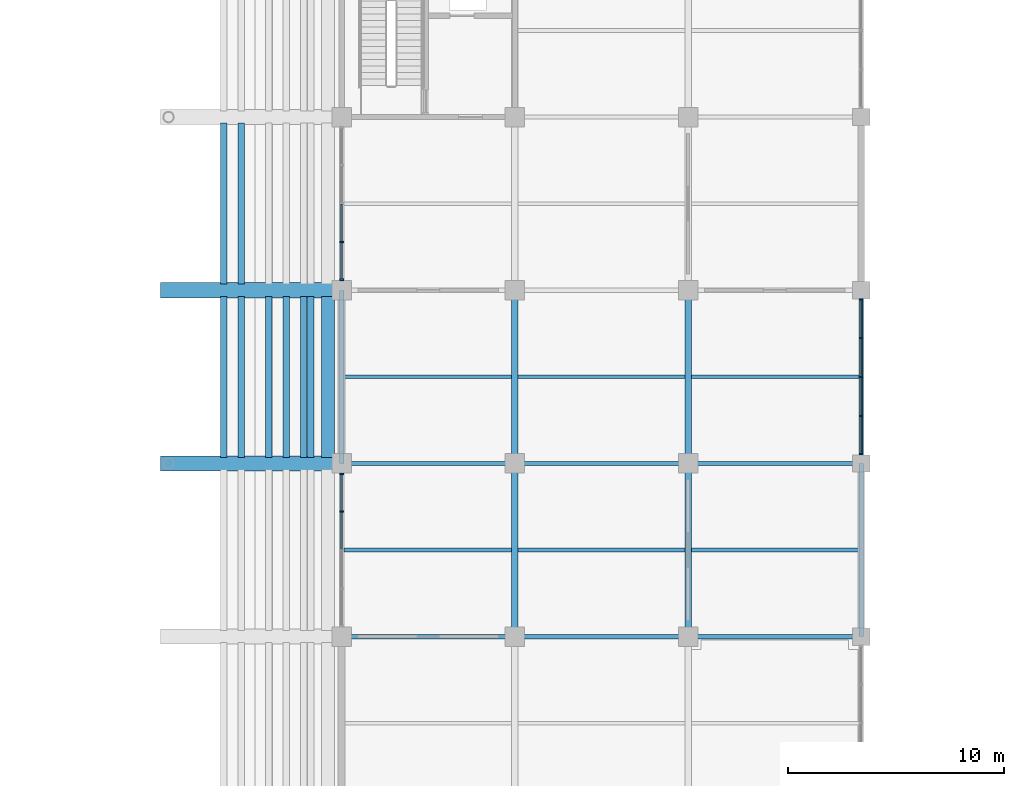
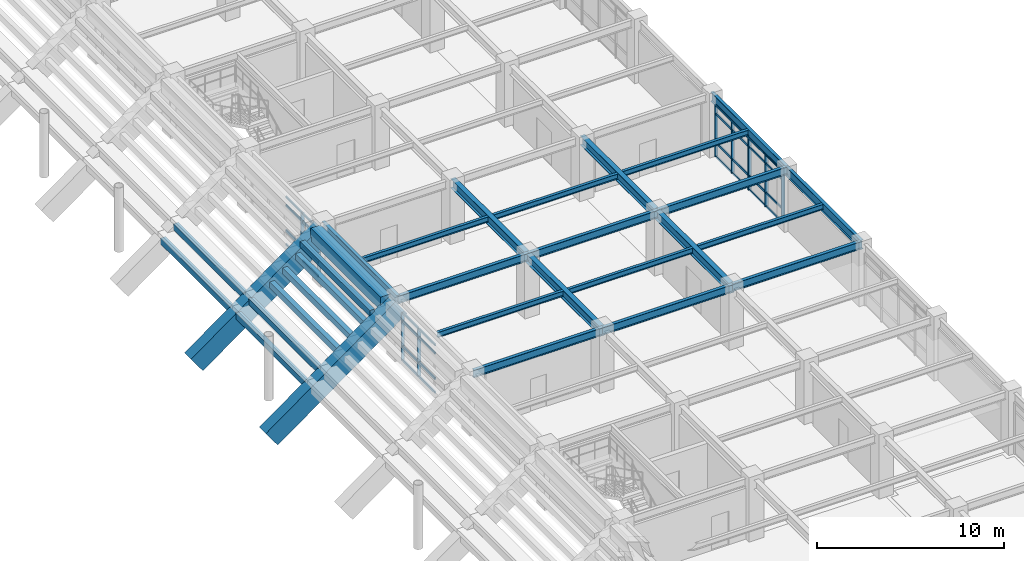
# One storey, part 42 of 118: 41 members, 30 beams, 3 elements without a shape of their own.
"""IFC4 building model written with IfcOpenShell, lengths in metres."""

from ifc_helpers import new_model, si_unit, direction, frame, origin, origin_2d, place, context, subcontext, project, spatial, rectangle, i_section, extrude, material, layer, layer_set, material_profile, profile_set, type_object, element, aggregate, save


model = new_model("IFC4")

# Units and contexts
model_context = context("Model", 3, precision=1e-05, world=origin(), true_north=direction((0.0, 1.0)))
body_context = subcontext(model_context, "Body", "Model", "MODEL_VIEW")
ifc_project = project(units=[si_unit("LENGTHUNIT", "METRE"), si_unit("AREAUNIT", "SQUARE_METRE"), si_unit("VOLUMEUNIT", "CUBIC_METRE"), si_unit("PLANEANGLEUNIT", "RADIAN"), si_unit("MASSUNIT", "GRAM", prefix="KILO")], contexts=[model_context])

# Site, building, storey
site_placement = place(None, origin())
site = spatial("IfcSite", under=ifc_project, at=site_placement, CompositionType="ELEMENT")
building_placement = place(site_placement, origin())
building = spatial("IfcBuilding", under=site, at=building_placement, Name="Haebicheon Civic Stadium", CompositionType="ELEMENT")
storey_placement = place(building_placement, frame((0.0, 0.0, 14.39990234375)))
storey = spatial("IfcBuildingStorey", under=building, at=storey_placement, Name="L04", CompositionType="ELEMENT", Elevation=14.39990234375)

# Beams
ifc_material_1 = material(Name="Precast concrete C40/50", Category="concrete")
ifc_material_profile_1 = material_profile(ifc_material_1, rectangle(XDim=0.300048828125, YDim=0.39990234375, at=origin_2d()), Name="PC-LN-300x400")
ifc_profile_set_1 = profile_set([ifc_material_profile_1], Name="Precast concrete C40/50")
beam_type_1 = type_object("IfcBeamType", Name="BM-LN-300x400", PredefinedType="LINTEL", material=ifc_profile_set_1)
for number, where, z_axis, x_axis, name in (
    (1, (138.56005859375, 88.280029296875, -0.10693359375), (0.0, 1.0, 0.0), (-1.0, 0.0, 0.0), "TIER-E-U precast step carrier beam 6.4"),
    (2, (139.360107421875, 88.280029296875, 0.5380859375), (0.0, 1.0, 0.0), (-1.0, 0.0, 0.0), "TIER-E-U precast step carrier beam 6.5"),
    (3, (140.639892578125, 88.280029296875, 1.18212890625), (0.0, 1.0, 0.0), (-1.0, 0.0, 0.0), "TIER-E-U precast step carrier beam 6.6"),
    (4, (141.43994140625, 88.280029296875, 1.8271484375), (0.0, 1.0, 0.0), (-1.0, 0.0, 0.0), "TIER-E-U precast step carrier beam 6.7"),
    (5, (142.239990234375, 88.280029296875, 2.47119140625), (0.0, 1.0, 0.0), (-1.0, 0.0, 0.0), "TIER-E-U precast step carrier beam 6.8"),
    (6, (142.56005859375, 88.280029296875, 3.1162109375), (0.0, 1.0, 0.0), (-1.0, 0.0, 0.0), "TIER-E-U precast step carrier beam 6.9"),
    (7, (138.56005859375, 96.280029296875, -0.10693359375), (0.0, 1.0, 0.0), (-1.0, 0.0, 0.0), "TIER-E-U precast step carrier beam 7.4"),
    (8, (139.360107421875, 96.280029296875, 0.5380859375), (0.0, 1.0, 0.0), (-1.0, 0.0, 0.0), "TIER-E-U precast step carrier beam 7.5"),
):
    element("IfcBeam", number, at=place(storey_placement, frame(where, z_axis=z_axis, x_axis=x_axis)), inside=storey, type_object=beam_type_1, material=ifc_profile_set_1, Name=name, PredefinedType="LINTEL", context=body_context, shape_type="SweptSolid", body=[
        extrude(rectangle(XDim=0.300048828125, YDim=0.39990234375, at=origin_2d()), origin(), (0.0, 0.0, 1.0), 7.43994140625),
    ])
ifc_material_2 = material(Name="Steel SM355 (S355)", Category="steel")
ifc_material_profile_2 = material_profile(ifc_material_2, i_section(OverallWidth=0.199951171875, OverallDepth=0.5, WebThickness=0.010009765625, FlangeThickness=0.01611328125, at=origin_2d()), Name="H-500x200x10x16")
ifc_profile_set_2 = profile_set([ifc_material_profile_2], Name="Steel SM355 (S355)")
beam_type_2 = type_object("IfcBeamType", Name="BM-ST-H500", PredefinedType="BEAM", material=ifc_profile_set_2)
for number, where, z_axis, x_axis, name in (
    (9, (144.0, 80.0, 3.690185546875), (1.0, 0.0, 0.0), (0.0, 1.0, 0.0), "L04 beam L/19-20"),
    (10, (144.0, 88.0, 3.690185546875), (1.0, 0.0, 0.0), (0.0, 1.0, 0.0), "L04 beam M/19-20"),
    (11, (152.0, 80.0, 3.690185546875), (1.0, 0.0, 0.0), (0.0, 1.0, 0.0), "L04 beam L/20-21"),
    (12, (152.0, 88.0, 3.690185546875), (1.0, 0.0, 0.0), (0.0, 1.0, 0.0), "L04 beam M/20-21"),
    (13, (160.0, 80.0, 3.72998046875), (1.0, 0.0, 0.0), (0.0, 1.0, 0.0), "L04 beam L/21-22"),
    (14, (160.0, 88.0, 3.72998046875), (1.0, 0.0, 0.0), (0.0, 1.0, 0.0), "L04 beam M/21-22"),
):
    element("IfcBeam", number, at=place(storey_placement, frame(where, z_axis=z_axis, x_axis=x_axis)), inside=storey, type_object=beam_type_2, material=ifc_profile_set_2, Name=name, PredefinedType="BEAM", context=body_context, shape_type="SweptSolid", body=[
        extrude(i_section(OverallWidth=0.199951171875, OverallDepth=0.5, WebThickness=0.010009765625, FlangeThickness=0.01611328125, at=origin_2d()), origin(), (0.0, 0.0, 1.0), 8.0),
    ])
ifc_material_3 = material(Name="Steel SM355 (S355)", Category="steel")
ifc_material_profile_3 = material_profile(ifc_material_3, i_section(OverallWidth=0.300048828125, OverallDepth=0.60009765625, WebThickness=0.011962890625, FlangeThickness=0.02001953125, at=origin_2d()), Name="H-600x300x12x20")
ifc_profile_set_3 = profile_set([ifc_material_profile_3], Name="Steel SM355 (S355)")
beam_type_3 = type_object("IfcBeamType", Name="BM-ST-H600A", PredefinedType="BEAM", material=ifc_profile_set_3)
for number, where, z_axis, x_axis, name in (
    (15, (152.0, 80.0, 3.64013671875), (0.0, 1.0, 0.0), (-1.0, 0.0, 0.0), "L04 girder 20/L-M"),
    (16, (152.0, 88.0, 3.64013671875), (0.0, 1.0, 0.0), (-1.0, 0.0, 0.0), "L04 girder 20/M-N"),
    (17, (160.0, 80.0, 3.64013671875), (0.0, 1.0, 0.0), (-1.0, 0.0, 0.0), "L04 girder 21/L-M"),
    (18, (160.0, 88.0, 3.64013671875), (0.0, 1.0, 0.0), (-1.0, 0.0, 0.0), "L04 girder 21/M-N"),
):
    element("IfcBeam", number, at=place(storey_placement, frame(where, z_axis=z_axis, x_axis=x_axis)), inside=storey, type_object=beam_type_3, material=ifc_profile_set_3, Name=name, PredefinedType="BEAM", context=body_context, shape_type="SweptSolid", body=[
        extrude(i_section(OverallWidth=0.300048828125, OverallDepth=0.60009765625, WebThickness=0.011962890625, FlangeThickness=0.02001953125, at=origin_2d()), origin(), (0.0, 0.0, 1.0), 8.0),
    ])
ifc_material_4 = material(Name="Precast concrete C40/50", Category="concrete")
ifc_material_profile_4 = material_profile(ifc_material_4, rectangle(XDim=0.60009765625, YDim=0.85009765625, at=origin_2d()), Name="PC-TB-600x850")
ifc_profile_set_4 = profile_set([ifc_material_profile_4], Name="Precast concrete C40/50")
beam_type_4 = type_object("IfcBeamType", Name="BM-TB-600x850", PredefinedType="T_BEAM", material=ifc_profile_set_4)
beam_placement = place(storey_placement, frame((143.360107421875, 88.280029296875, 3.53515625), z_axis=(0.0, 1.0, 0.0), x_axis=(-1.0, 0.0, 0.0)))
element("IfcBeam", 19, at=beam_placement, inside=storey, type_object=beam_type_4, material=ifc_profile_set_4, Name="TIER-E-U upper tier bench carrier beam 6", PredefinedType="T_BEAM", context=body_context, shape_type="SweptSolid", body=[
    extrude(rectangle(XDim=0.60009765625, YDim=0.85009765625, at=origin_2d()), origin(), (0.0, 0.0, 1.0), 7.43994140625),
])

# Curtain wall, members
ifc_material_5 = material(Name="Anodised aluminium and laminated glass", Category="aluminium")
ifc_layer_1 = layer(ifc_material_5, 0.179931640625, Name="Anodised aluminium and laminated glass")
ifc_layer_set_1 = layer_set([ifc_layer_1], Name="Anodised aluminium and laminated glass")
curtain_wall_type_1 = type_object("IfcCurtainWallType", Name="CW-7100x3100", PredefinedType="NOTDEFINED", material=ifc_layer_set_1)
curtain_wall_1_placement = place(storey_placement, origin())
curtain_wall_1 = element("IfcCurtainWall", 20, at=curtain_wall_1_placement, inside=storey, type_object=curtain_wall_type_1, material=ifc_layer_set_1, Name="L04 unitised curtain wall 144", PredefinedType="NOTDEFINED")
ifc_material_6 = material(Name="Anodised aluminium 6063-T6", Category="aluminium")
ifc_material_profile_5 = material_profile(ifc_material_6, rectangle(XDim=0.070068359375, YDim=0.199951171875, at=origin_2d()), Name="ALU-MULL-70x200")
ifc_profile_set_5 = profile_set([ifc_material_profile_5], Name="Anodised aluminium 6063-T6")
member_type_1 = type_object("IfcMemberType", Name="CWM-200x70", PredefinedType="MULLION", material=ifc_profile_set_5)
member_1_placement = place(storey_placement, frame((144.0, 85.77490234375, 0.0), z_axis=(0.0, 0.0, 1.0), x_axis=(0.0, 1.0, 0.0)))
member_1 = element("IfcMember", 21, at=member_1_placement, type_object=member_type_1, material=ifc_profile_set_5, Name="CW-L04-144 vertical mullion 4", PredefinedType="MULLION", context=body_context, shape_type="SweptSolid", body=[
    extrude(rectangle(XDim=0.070068359375, YDim=0.199951171875, at=origin_2d()), origin(), (0.0, 0.0, 1.0), 3.10009765625),
])
member_2_placement = place(storey_placement, frame((144.0, 87.514892578125, 0.0), z_axis=(0.0, 0.0, 1.0), x_axis=(0.0, 1.0, 0.0)))
member_2 = element("IfcMember", 22, at=member_2_placement, type_object=member_type_1, material=ifc_profile_set_5, Name="CW-L04-144 vertical mullion 5", PredefinedType="MULLION", context=body_context, shape_type="SweptSolid", body=[
    extrude(rectangle(XDim=0.070068359375, YDim=0.199951171875, at=origin_2d()), origin(), (0.0, 0.0, 1.0), 3.10009765625),
])

curtain_wall_2_placement = place(storey_placement, origin())
curtain_wall_2 = element("IfcCurtainWall", 23, at=curtain_wall_2_placement, inside=storey, type_object=curtain_wall_type_1, material=ifc_layer_set_1, Name="L04 unitised curtain wall 145", PredefinedType="NOTDEFINED")
member_3_placement = place(storey_placement, frame((144.0, 96.485107421875, 0.0), z_axis=(0.0, 0.0, 1.0), x_axis=(0.0, 1.0, 0.0)))
member_3 = element("IfcMember", 24, at=member_3_placement, type_object=member_type_1, material=ifc_profile_set_5, Name="CW-L04-145 vertical mullion 1", PredefinedType="MULLION", context=body_context, shape_type="SweptSolid", body=[
    extrude(rectangle(XDim=0.070068359375, YDim=0.199951171875, at=origin_2d()), origin(), (0.0, 0.0, 1.0), 3.10009765625),
])
member_4_placement = place(storey_placement, frame((144.0, 98.22509765625, 0.0), z_axis=(0.0, 0.0, 1.0), x_axis=(0.0, 1.0, 0.0)))
member_4 = element("IfcMember", 25, at=member_4_placement, type_object=member_type_1, material=ifc_profile_set_5, Name="CW-L04-145 vertical mullion 2", PredefinedType="MULLION", context=body_context, shape_type="SweptSolid", body=[
    extrude(rectangle(XDim=0.070068359375, YDim=0.199951171875, at=origin_2d()), origin(), (0.0, 0.0, 1.0), 3.10009765625),
])

ifc_material_7 = material(Name="Anodised aluminium and laminated glass", Category="aluminium")
ifc_layer_2 = layer(ifc_material_7, 0.179931640625, Name="Anodised aluminium and laminated glass")
ifc_layer_set_2 = layer_set([ifc_layer_2], Name="Anodised aluminium and laminated glass")
curtain_wall_type_2 = type_object("IfcCurtainWallType", Name="CW-7200x3350", PredefinedType="NOTDEFINED", material=ifc_layer_set_2)
curtain_wall_3_placement = place(storey_placement, origin())
curtain_wall_3 = element("IfcCurtainWall", 26, at=curtain_wall_3_placement, inside=storey, type_object=curtain_wall_type_2, material=ifc_layer_set_2, Name="L04 unitised curtain wall 156", PredefinedType="NOTDEFINED")
member_5_placement = place(storey_placement, frame((168.0, 88.43505859375, 0.0), z_axis=(0.0, 0.0, 1.0), x_axis=(0.0, 1.0, 0.0)))
member_5 = element("IfcMember", 27, at=member_5_placement, type_object=member_type_1, material=ifc_profile_set_5, Name="CW-L04-156 vertical mullion 1", PredefinedType="MULLION", context=body_context, shape_type="SweptSolid", body=[
    extrude(rectangle(XDim=0.070068359375, YDim=0.199951171875, at=origin_2d()), origin(), (0.0, 0.0, 1.0), 3.35009765625),
])
member_6_placement = place(storey_placement, frame((168.0, 90.199951171875, 0.0), z_axis=(0.0, 0.0, 1.0), x_axis=(0.0, 1.0, 0.0)))
member_6 = element("IfcMember", 28, at=member_6_placement, type_object=member_type_1, material=ifc_profile_set_5, Name="CW-L04-156 vertical mullion 2", PredefinedType="MULLION", context=body_context, shape_type="SweptSolid", body=[
    extrude(rectangle(XDim=0.070068359375, YDim=0.199951171875, at=origin_2d()), origin(), (0.0, 0.0, 1.0), 3.35009765625),
])
member_7_placement = place(storey_placement, frame((168.0, 92.0, 0.0), z_axis=(0.0, 0.0, 1.0), x_axis=(0.0, 1.0, 0.0)))
member_7 = element("IfcMember", 29, at=member_7_placement, type_object=member_type_1, material=ifc_profile_set_5, Name="CW-L04-156 vertical mullion 3", PredefinedType="MULLION", context=body_context, shape_type="SweptSolid", body=[
    extrude(rectangle(XDim=0.070068359375, YDim=0.199951171875, at=origin_2d()), origin(), (0.0, 0.0, 1.0), 3.35009765625),
])
member_8_placement = place(storey_placement, frame((168.0, 93.800048828125, 0.0), z_axis=(0.0, 0.0, 1.0), x_axis=(0.0, 1.0, 0.0)))
member_8 = element("IfcMember", 30, at=member_8_placement, type_object=member_type_1, material=ifc_profile_set_5, Name="CW-L04-156 vertical mullion 4", PredefinedType="MULLION", context=body_context, shape_type="SweptSolid", body=[
    extrude(rectangle(XDim=0.070068359375, YDim=0.199951171875, at=origin_2d()), origin(), (0.0, 0.0, 1.0), 3.35009765625),
])
member_9_placement = place(storey_placement, frame((168.0, 95.56494140625, 0.0), z_axis=(0.0, 0.0, 1.0), x_axis=(0.0, 1.0, 0.0)))
member_9 = element("IfcMember", 31, at=member_9_placement, type_object=member_type_1, material=ifc_profile_set_5, Name="CW-L04-156 vertical mullion 5", PredefinedType="MULLION", context=body_context, shape_type="SweptSolid", body=[
    extrude(rectangle(XDim=0.070068359375, YDim=0.199951171875, at=origin_2d()), origin(), (0.0, 0.0, 1.0), 3.35009765625),
])

# Member
ifc_material_8 = material(Name="Anodised aluminium 6063-T6", Category="aluminium")
ifc_material_profile_6 = material_profile(ifc_material_8, rectangle(XDim=0.070068359375, YDim=0.14990234375, at=origin_2d()), Name="ALU-TRAN-70x150")
ifc_profile_set_6 = profile_set([ifc_material_profile_6], Name="Anodised aluminium 6063-T6")
member_type_2 = type_object("IfcMemberType", Name="CWT-150x70", PredefinedType="NOTDEFINED", material=ifc_profile_set_6)
member_10_placement = place(storey_placement, frame((144.0, 84.034912109375, 0.0), z_axis=(0.0, 1.0, 0.0), x_axis=(-1.0, 0.0, 0.0)))
member_10 = element("IfcMember", 32, at=member_10_placement, type_object=member_type_2, material=ifc_profile_set_6, Name="CW-L04-144 horizontal transom 3.1", ObjectType="TRANSOM", PredefinedType="USERDEFINED", context=body_context, shape_type="SweptSolid", body=[
    extrude(rectangle(XDim=0.070068359375, YDim=0.14990234375, at=origin_2d()), origin(), (0.0, 0.0, 1.0), 1.705078125),
])

member_11_placement = place(storey_placement, frame((144.0, 84.034912109375, 0.900146484375), z_axis=(0.0, 1.0, 0.0), x_axis=(-1.0, 0.0, 0.0)))
member_11 = element("IfcMember", 33, at=member_11_placement, type_object=member_type_2, material=ifc_profile_set_6, Name="CW-L04-144 horizontal transom 3.2", ObjectType="TRANSOM", PredefinedType="USERDEFINED", context=body_context, shape_type="SweptSolid", body=[
    extrude(rectangle(XDim=0.070068359375, YDim=0.14990234375, at=origin_2d()), origin(), (0.0, 0.0, 1.0), 1.705078125),
])

member_12_placement = place(storey_placement, frame((144.0, 84.034912109375, 2.550048828125), z_axis=(0.0, 1.0, 0.0), x_axis=(-1.0, 0.0, 0.0)))
member_12 = element("IfcMember", 34, at=member_12_placement, type_object=member_type_2, material=ifc_profile_set_6, Name="CW-L04-144 horizontal transom 3.3", ObjectType="TRANSOM", PredefinedType="USERDEFINED", context=body_context, shape_type="SweptSolid", body=[
    extrude(rectangle(XDim=0.070068359375, YDim=0.14990234375, at=origin_2d()), origin(), (0.0, 0.0, 1.0), 1.705078125),
])

member_13_placement = place(storey_placement, frame((144.0, 84.034912109375, 3.10009765625), z_axis=(0.0, 1.0, 0.0), x_axis=(-1.0, 0.0, 0.0)))
member_13 = element("IfcMember", 35, at=member_13_placement, type_object=member_type_2, material=ifc_profile_set_6, Name="CW-L04-144 horizontal transom 3.4", ObjectType="TRANSOM", PredefinedType="USERDEFINED", context=body_context, shape_type="SweptSolid", body=[
    extrude(rectangle(XDim=0.070068359375, YDim=0.14990234375, at=origin_2d()), origin(), (0.0, 0.0, 1.0), 1.705078125),
])

member_14_placement = place(storey_placement, frame((144.0, 85.81005859375, 0.0), z_axis=(0.0, 1.0, 0.0), x_axis=(-1.0, 0.0, 0.0)))
member_14 = element("IfcMember", 36, at=member_14_placement, type_object=member_type_2, material=ifc_profile_set_6, Name="CW-L04-144 horizontal transom 4.1", ObjectType="TRANSOM", PredefinedType="USERDEFINED", context=body_context, shape_type="SweptSolid", body=[
    extrude(rectangle(XDim=0.070068359375, YDim=0.14990234375, at=origin_2d()), origin(), (0.0, 0.0, 1.0), 1.669921875),
])

member_15_placement = place(storey_placement, frame((144.0, 85.81005859375, 0.900146484375), z_axis=(0.0, 1.0, 0.0), x_axis=(-1.0, 0.0, 0.0)))
member_15 = element("IfcMember", 37, at=member_15_placement, type_object=member_type_2, material=ifc_profile_set_6, Name="CW-L04-144 horizontal transom 4.2", ObjectType="TRANSOM", PredefinedType="USERDEFINED", context=body_context, shape_type="SweptSolid", body=[
    extrude(rectangle(XDim=0.070068359375, YDim=0.14990234375, at=origin_2d()), origin(), (0.0, 0.0, 1.0), 1.669921875),
])

member_16_placement = place(storey_placement, frame((144.0, 85.81005859375, 2.550048828125), z_axis=(0.0, 1.0, 0.0), x_axis=(-1.0, 0.0, 0.0)))
member_16 = element("IfcMember", 38, at=member_16_placement, type_object=member_type_2, material=ifc_profile_set_6, Name="CW-L04-144 horizontal transom 4.3", ObjectType="TRANSOM", PredefinedType="USERDEFINED", context=body_context, shape_type="SweptSolid", body=[
    extrude(rectangle(XDim=0.070068359375, YDim=0.14990234375, at=origin_2d()), origin(), (0.0, 0.0, 1.0), 1.669921875),
])

member_17_placement = place(storey_placement, frame((144.0, 85.81005859375, 3.10009765625), z_axis=(0.0, 1.0, 0.0), x_axis=(-1.0, 0.0, 0.0)))
member_17 = element("IfcMember", 39, at=member_17_placement, type_object=member_type_2, material=ifc_profile_set_6, Name="CW-L04-144 horizontal transom 4.4", ObjectType="TRANSOM", PredefinedType="USERDEFINED", context=body_context, shape_type="SweptSolid", body=[
    extrude(rectangle(XDim=0.070068359375, YDim=0.14990234375, at=origin_2d()), origin(), (0.0, 0.0, 1.0), 1.669921875),
])

aggregate(curtain_wall_1, [member_1, member_2, member_10, member_11, member_12, member_13, member_14, member_15, member_16, member_17])

member_18_placement = place(storey_placement, frame((144.0, 96.52001953125, 0.0), z_axis=(0.0, 1.0, 0.0), x_axis=(-1.0, 0.0, 0.0)))
member_18 = element("IfcMember", 40, at=member_18_placement, type_object=member_type_2, material=ifc_profile_set_6, Name="CW-L04-145 horizontal transom 1.1", ObjectType="TRANSOM", PredefinedType="USERDEFINED", context=body_context, shape_type="SweptSolid", body=[
    extrude(rectangle(XDim=0.070068359375, YDim=0.14990234375, at=origin_2d()), origin(), (0.0, 0.0, 1.0), 1.669921875),
])

member_19_placement = place(storey_placement, frame((144.0, 96.52001953125, 0.900146484375), z_axis=(0.0, 1.0, 0.0), x_axis=(-1.0, 0.0, 0.0)))
member_19 = element("IfcMember", 41, at=member_19_placement, type_object=member_type_2, material=ifc_profile_set_6, Name="CW-L04-145 horizontal transom 1.2", ObjectType="TRANSOM", PredefinedType="USERDEFINED", context=body_context, shape_type="SweptSolid", body=[
    extrude(rectangle(XDim=0.070068359375, YDim=0.14990234375, at=origin_2d()), origin(), (0.0, 0.0, 1.0), 1.669921875),
])

member_20_placement = place(storey_placement, frame((144.0, 96.52001953125, 2.550048828125), z_axis=(0.0, 1.0, 0.0), x_axis=(-1.0, 0.0, 0.0)))
member_20 = element("IfcMember", 42, at=member_20_placement, type_object=member_type_2, material=ifc_profile_set_6, Name="CW-L04-145 horizontal transom 1.3", ObjectType="TRANSOM", PredefinedType="USERDEFINED", context=body_context, shape_type="SweptSolid", body=[
    extrude(rectangle(XDim=0.070068359375, YDim=0.14990234375, at=origin_2d()), origin(), (0.0, 0.0, 1.0), 1.669921875),
])

member_21_placement = place(storey_placement, frame((144.0, 96.52001953125, 3.10009765625), z_axis=(0.0, 1.0, 0.0), x_axis=(-1.0, 0.0, 0.0)))
member_21 = element("IfcMember", 43, at=member_21_placement, type_object=member_type_2, material=ifc_profile_set_6, Name="CW-L04-145 horizontal transom 1.4", ObjectType="TRANSOM", PredefinedType="USERDEFINED", context=body_context, shape_type="SweptSolid", body=[
    extrude(rectangle(XDim=0.070068359375, YDim=0.14990234375, at=origin_2d()), origin(), (0.0, 0.0, 1.0), 1.669921875),
])

member_22_placement = place(storey_placement, frame((144.0, 98.260009765625, 0.0), z_axis=(0.0, 1.0, 0.0), x_axis=(-1.0, 0.0, 0.0)))
member_22 = element("IfcMember", 44, at=member_22_placement, type_object=member_type_2, material=ifc_profile_set_6, Name="CW-L04-145 horizontal transom 2.1", ObjectType="TRANSOM", PredefinedType="USERDEFINED", context=body_context, shape_type="SweptSolid", body=[
    extrude(rectangle(XDim=0.070068359375, YDim=0.14990234375, at=origin_2d()), origin(), (0.0, 0.0, 1.0), 1.705078125),
])

member_23_placement = place(storey_placement, frame((144.0, 98.260009765625, 0.900146484375), z_axis=(0.0, 1.0, 0.0), x_axis=(-1.0, 0.0, 0.0)))
member_23 = element("IfcMember", 45, at=member_23_placement, type_object=member_type_2, material=ifc_profile_set_6, Name="CW-L04-145 horizontal transom 2.2", ObjectType="TRANSOM", PredefinedType="USERDEFINED", context=body_context, shape_type="SweptSolid", body=[
    extrude(rectangle(XDim=0.070068359375, YDim=0.14990234375, at=origin_2d()), origin(), (0.0, 0.0, 1.0), 1.705078125),
])

member_24_placement = place(storey_placement, frame((144.0, 98.260009765625, 2.550048828125), z_axis=(0.0, 1.0, 0.0), x_axis=(-1.0, 0.0, 0.0)))
member_24 = element("IfcMember", 46, at=member_24_placement, type_object=member_type_2, material=ifc_profile_set_6, Name="CW-L04-145 horizontal transom 2.3", ObjectType="TRANSOM", PredefinedType="USERDEFINED", context=body_context, shape_type="SweptSolid", body=[
    extrude(rectangle(XDim=0.070068359375, YDim=0.14990234375, at=origin_2d()), origin(), (0.0, 0.0, 1.0), 1.705078125),
])

member_25_placement = place(storey_placement, frame((144.0, 98.260009765625, 3.10009765625), z_axis=(0.0, 1.0, 0.0), x_axis=(-1.0, 0.0, 0.0)))
member_25 = element("IfcMember", 47, at=member_25_placement, type_object=member_type_2, material=ifc_profile_set_6, Name="CW-L04-145 horizontal transom 2.4", ObjectType="TRANSOM", PredefinedType="USERDEFINED", context=body_context, shape_type="SweptSolid", body=[
    extrude(rectangle(XDim=0.070068359375, YDim=0.14990234375, at=origin_2d()), origin(), (0.0, 0.0, 1.0), 1.705078125),
])

aggregate(curtain_wall_2, [member_3, member_4, member_18, member_19, member_20, member_21, member_22, member_23, member_24, member_25])

member_26_placement = place(storey_placement, frame((168.0, 88.469970703125, 0.0), z_axis=(0.0, 1.0, 0.0), x_axis=(-1.0, 0.0, 0.0)))
member_26 = element("IfcMember", 48, at=member_26_placement, type_object=member_type_2, material=ifc_profile_set_6, Name="CW-L04-156 horizontal transom 1.1", ObjectType="TRANSOM", PredefinedType="USERDEFINED", context=body_context, shape_type="SweptSolid", body=[
    extrude(rectangle(XDim=0.070068359375, YDim=0.14990234375, at=origin_2d()), origin(), (0.0, 0.0, 1.0), 1.695068359375),
])

member_27_placement = place(storey_placement, frame((168.0, 88.469970703125, 0.900146484375), z_axis=(0.0, 1.0, 0.0), x_axis=(-1.0, 0.0, 0.0)))
member_27 = element("IfcMember", 49, at=member_27_placement, type_object=member_type_2, material=ifc_profile_set_6, Name="CW-L04-156 horizontal transom 1.2", ObjectType="TRANSOM", PredefinedType="USERDEFINED", context=body_context, shape_type="SweptSolid", body=[
    extrude(rectangle(XDim=0.070068359375, YDim=0.14990234375, at=origin_2d()), origin(), (0.0, 0.0, 1.0), 1.695068359375),
])

member_28_placement = place(storey_placement, frame((168.0, 88.469970703125, 2.800048828125), z_axis=(0.0, 1.0, 0.0), x_axis=(-1.0, 0.0, 0.0)))
member_28 = element("IfcMember", 50, at=member_28_placement, type_object=member_type_2, material=ifc_profile_set_6, Name="CW-L04-156 horizontal transom 1.3", ObjectType="TRANSOM", PredefinedType="USERDEFINED", context=body_context, shape_type="SweptSolid", body=[
    extrude(rectangle(XDim=0.070068359375, YDim=0.14990234375, at=origin_2d()), origin(), (0.0, 0.0, 1.0), 1.695068359375),
])

member_29_placement = place(storey_placement, frame((168.0, 88.469970703125, 3.35009765625), z_axis=(0.0, 1.0, 0.0), x_axis=(-1.0, 0.0, 0.0)))
member_29 = element("IfcMember", 51, at=member_29_placement, type_object=member_type_2, material=ifc_profile_set_6, Name="CW-L04-156 horizontal transom 1.4", ObjectType="TRANSOM", PredefinedType="USERDEFINED", context=body_context, shape_type="SweptSolid", body=[
    extrude(rectangle(XDim=0.070068359375, YDim=0.14990234375, at=origin_2d()), origin(), (0.0, 0.0, 1.0), 1.695068359375),
])

member_30_placement = place(storey_placement, frame((168.0, 90.235107421875, 0.0), z_axis=(0.0, 1.0, 0.0), x_axis=(-1.0, 0.0, 0.0)))
member_30 = element("IfcMember", 52, at=member_30_placement, type_object=member_type_2, material=ifc_profile_set_6, Name="CW-L04-156 horizontal transom 2.1", ObjectType="TRANSOM", PredefinedType="USERDEFINED", context=body_context, shape_type="SweptSolid", body=[
    extrude(rectangle(XDim=0.070068359375, YDim=0.14990234375, at=origin_2d()), origin(), (0.0, 0.0, 1.0), 1.72998046875),
])

member_31_placement = place(storey_placement, frame((168.0, 90.235107421875, 0.900146484375), z_axis=(0.0, 1.0, 0.0), x_axis=(-1.0, 0.0, 0.0)))
member_31 = element("IfcMember", 53, at=member_31_placement, type_object=member_type_2, material=ifc_profile_set_6, Name="CW-L04-156 horizontal transom 2.2", ObjectType="TRANSOM", PredefinedType="USERDEFINED", context=body_context, shape_type="SweptSolid", body=[
    extrude(rectangle(XDim=0.070068359375, YDim=0.14990234375, at=origin_2d()), origin(), (0.0, 0.0, 1.0), 1.72998046875),
])

member_32_placement = place(storey_placement, frame((168.0, 90.235107421875, 2.800048828125), z_axis=(0.0, 1.0, 0.0), x_axis=(-1.0, 0.0, 0.0)))
member_32 = element("IfcMember", 54, at=member_32_placement, type_object=member_type_2, material=ifc_profile_set_6, Name="CW-L04-156 horizontal transom 2.3", ObjectType="TRANSOM", PredefinedType="USERDEFINED", context=body_context, shape_type="SweptSolid", body=[
    extrude(rectangle(XDim=0.070068359375, YDim=0.14990234375, at=origin_2d()), origin(), (0.0, 0.0, 1.0), 1.72998046875),
])

member_33_placement = place(storey_placement, frame((168.0, 90.235107421875, 3.35009765625), z_axis=(0.0, 1.0, 0.0), x_axis=(-1.0, 0.0, 0.0)))
member_33 = element("IfcMember", 55, at=member_33_placement, type_object=member_type_2, material=ifc_profile_set_6, Name="CW-L04-156 horizontal transom 2.4", ObjectType="TRANSOM", PredefinedType="USERDEFINED", context=body_context, shape_type="SweptSolid", body=[
    extrude(rectangle(XDim=0.070068359375, YDim=0.14990234375, at=origin_2d()), origin(), (0.0, 0.0, 1.0), 1.72998046875),
])

member_34_placement = place(storey_placement, frame((168.0, 92.034912109375, 0.0), z_axis=(0.0, 1.0, 0.0), x_axis=(-1.0, 0.0, 0.0)))
member_34 = element("IfcMember", 56, at=member_34_placement, type_object=member_type_2, material=ifc_profile_set_6, Name="CW-L04-156 horizontal transom 3.1", ObjectType="TRANSOM", PredefinedType="USERDEFINED", context=body_context, shape_type="SweptSolid", body=[
    extrude(rectangle(XDim=0.070068359375, YDim=0.14990234375, at=origin_2d()), origin(), (0.0, 0.0, 1.0), 1.72998046875),
])

member_35_placement = place(storey_placement, frame((168.0, 92.034912109375, 0.900146484375), z_axis=(0.0, 1.0, 0.0), x_axis=(-1.0, 0.0, 0.0)))
member_35 = element("IfcMember", 57, at=member_35_placement, type_object=member_type_2, material=ifc_profile_set_6, Name="CW-L04-156 horizontal transom 3.2", ObjectType="TRANSOM", PredefinedType="USERDEFINED", context=body_context, shape_type="SweptSolid", body=[
    extrude(rectangle(XDim=0.070068359375, YDim=0.14990234375, at=origin_2d()), origin(), (0.0, 0.0, 1.0), 1.72998046875),
])

member_36_placement = place(storey_placement, frame((168.0, 92.034912109375, 2.800048828125), z_axis=(0.0, 1.0, 0.0), x_axis=(-1.0, 0.0, 0.0)))
member_36 = element("IfcMember", 58, at=member_36_placement, type_object=member_type_2, material=ifc_profile_set_6, Name="CW-L04-156 horizontal transom 3.3", ObjectType="TRANSOM", PredefinedType="USERDEFINED", context=body_context, shape_type="SweptSolid", body=[
    extrude(rectangle(XDim=0.070068359375, YDim=0.14990234375, at=origin_2d()), origin(), (0.0, 0.0, 1.0), 1.72998046875),
])

member_37_placement = place(storey_placement, frame((168.0, 92.034912109375, 3.35009765625), z_axis=(0.0, 1.0, 0.0), x_axis=(-1.0, 0.0, 0.0)))
member_37 = element("IfcMember", 59, at=member_37_placement, type_object=member_type_2, material=ifc_profile_set_6, Name="CW-L04-156 horizontal transom 3.4", ObjectType="TRANSOM", PredefinedType="USERDEFINED", context=body_context, shape_type="SweptSolid", body=[
    extrude(rectangle(XDim=0.070068359375, YDim=0.14990234375, at=origin_2d()), origin(), (0.0, 0.0, 1.0), 1.72998046875),
])

member_38_placement = place(storey_placement, frame((168.0, 93.8349609375, 0.0), z_axis=(0.0, 1.0, 0.0), x_axis=(-1.0, 0.0, 0.0)))
member_38 = element("IfcMember", 60, at=member_38_placement, type_object=member_type_2, material=ifc_profile_set_6, Name="CW-L04-156 horizontal transom 4.1", ObjectType="TRANSOM", PredefinedType="USERDEFINED", context=body_context, shape_type="SweptSolid", body=[
    extrude(rectangle(XDim=0.070068359375, YDim=0.14990234375, at=origin_2d()), origin(), (0.0, 0.0, 1.0), 1.695068359375),
])

member_39_placement = place(storey_placement, frame((168.0, 93.8349609375, 0.900146484375), z_axis=(0.0, 1.0, 0.0), x_axis=(-1.0, 0.0, 0.0)))
member_39 = element("IfcMember", 61, at=member_39_placement, type_object=member_type_2, material=ifc_profile_set_6, Name="CW-L04-156 horizontal transom 4.2", ObjectType="TRANSOM", PredefinedType="USERDEFINED", context=body_context, shape_type="SweptSolid", body=[
    extrude(rectangle(XDim=0.070068359375, YDim=0.14990234375, at=origin_2d()), origin(), (0.0, 0.0, 1.0), 1.695068359375),
])

member_40_placement = place(storey_placement, frame((168.0, 93.8349609375, 2.800048828125), z_axis=(0.0, 1.0, 0.0), x_axis=(-1.0, 0.0, 0.0)))
member_40 = element("IfcMember", 62, at=member_40_placement, type_object=member_type_2, material=ifc_profile_set_6, Name="CW-L04-156 horizontal transom 4.3", ObjectType="TRANSOM", PredefinedType="USERDEFINED", context=body_context, shape_type="SweptSolid", body=[
    extrude(rectangle(XDim=0.070068359375, YDim=0.14990234375, at=origin_2d()), origin(), (0.0, 0.0, 1.0), 1.695068359375),
])

member_41_placement = place(storey_placement, frame((168.0, 93.8349609375, 3.35009765625), z_axis=(0.0, 1.0, 0.0), x_axis=(-1.0, 0.0, 0.0)))
member_41 = element("IfcMember", 63, at=member_41_placement, type_object=member_type_2, material=ifc_profile_set_6, Name="CW-L04-156 horizontal transom 4.4", ObjectType="TRANSOM", PredefinedType="USERDEFINED", context=body_context, shape_type="SweptSolid", body=[
    extrude(rectangle(XDim=0.070068359375, YDim=0.14990234375, at=origin_2d()), origin(), (0.0, 0.0, 1.0), 1.695068359375),
])

aggregate(curtain_wall_3, [member_5, member_6, member_7, member_8, member_9, member_26, member_27, member_28, member_29, member_30, member_31, member_32, member_33, member_34, member_35, member_36, member_37, member_38, member_39, member_40, member_41])

# Beams
ifc_material_9 = material(Name="Steel SM355 (S355)", Category="steel")
ifc_material_profile_7 = material_profile(ifc_material_9, i_section(OverallWidth=0.175048828125, OverallDepth=0.35009765625, WebThickness=0.007080078125, FlangeThickness=0.010986328125, at=origin_2d()), Name="H-350x175x7x11")
ifc_profile_set_7 = profile_set([ifc_material_profile_7], Name="Steel SM355 (S355)")
beam_type_5 = type_object("IfcBeamType", Name="JST-ST-H350", PredefinedType="JOIST", material=ifc_profile_set_7)
for number, where, z_axis, x_axis, name in (
    (64, (144.10009765625, 84.0, 3.76513671875), (1.0, 0.0, 0.0), (0.0, 1.0, 0.0), "L04 secondary joist 18-10"),
    (65, (144.10009765625, 92.0, 3.76513671875), (1.0, 0.0, 0.0), (0.0, 1.0, 0.0), "L04 secondary joist 18-11"),
):
    element("IfcBeam", number, at=place(storey_placement, frame(where, z_axis=z_axis, x_axis=x_axis)), inside=storey, type_object=beam_type_5, material=ifc_profile_set_7, Name=name, PredefinedType="JOIST", context=body_context, shape_type="SweptSolid", body=[
        extrude(i_section(OverallWidth=0.175048828125, OverallDepth=0.35009765625, WebThickness=0.007080078125, FlangeThickness=0.010986328125, at=origin_2d()), origin(), (0.0, 0.0, 1.0), 7.75),
    ])
for number, where, z_axis, x_axis, name in (
    (66, (152.14990234375, 84.0, 3.76513671875), (1.0, 0.0, 0.0), (0.0, 1.0, 0.0), "L04 secondary joist 19-10"),
    (67, (152.14990234375, 92.0, 3.76513671875), (1.0, 0.0, 0.0), (0.0, 1.0, 0.0), "L04 secondary joist 19-11"),
):
    element("IfcBeam", number, at=place(storey_placement, frame(where, z_axis=z_axis, x_axis=x_axis)), inside=storey, type_object=beam_type_5, material=ifc_profile_set_7, Name=name, PredefinedType="JOIST", context=body_context, shape_type="SweptSolid", body=[
        extrude(i_section(OverallWidth=0.175048828125, OverallDepth=0.35009765625, WebThickness=0.007080078125, FlangeThickness=0.010986328125, at=origin_2d()), origin(), (0.0, 0.0, 1.0), 7.7001953125),
    ])
for number, where, z_axis, x_axis, name in (
    (68, (160.14990234375, 84.0, 3.80517578125), (1.0, 0.0, 0.0), (0.0, 1.0, 0.0), "L04 secondary joist 20-10"),
    (69, (160.14990234375, 92.0, 3.80517578125), (1.0, 0.0, 0.0), (0.0, 1.0, 0.0), "L04 secondary joist 20-11"),
):
    element("IfcBeam", number, at=place(storey_placement, frame(where, z_axis=z_axis, x_axis=x_axis)), inside=storey, type_object=beam_type_5, material=ifc_profile_set_7, Name=name, PredefinedType="JOIST", context=body_context, shape_type="SweptSolid", body=[
        extrude(i_section(OverallWidth=0.175048828125, OverallDepth=0.35009765625, WebThickness=0.007080078125, FlangeThickness=0.010986328125, at=origin_2d()), origin(), (0.0, 0.0, 1.0), 7.75),
    ])
ifc_material_10 = material(Name="Precast concrete C40/50", Category="concrete")
ifc_material_profile_8 = material_profile(ifc_material_10, rectangle(XDim=0.699951171875, YDim=1.25, at=origin_2d()), Name="PC-RK-700x1250")
ifc_profile_set_8 = profile_set([ifc_material_profile_8], Name="Precast concrete C40/50")
beam_type_6 = type_object("IfcBeamType", Name="RK-PC-700x1250", PredefinedType="USERDEFINED", material=ifc_profile_set_8)
for number, where, z_axis, x_axis, name in (
    (70, (136.0, 88.0, -2.46484375), (0.809608095134, 0.0, 0.586970810428), (0.0, 1.0, 0.0), "TIER-E-U inclined precast raker beam 6"),
    (71, (136.0, 96.0, -2.46484375), (0.809608095134, 0.0, 0.586970810428), (0.0, 1.0, 0.0), "TIER-E-U inclined precast raker beam 7"),
):
    element("IfcBeam", number, at=place(storey_placement, frame(where, z_axis=z_axis, x_axis=x_axis)), inside=storey, type_object=beam_type_6, material=ifc_profile_set_8, Name=name, ObjectType="RAKER BEAM", PredefinedType="USERDEFINED", context=body_context, shape_type="SweptSolid", body=[
        extrude(rectangle(XDim=0.699951171875, YDim=1.25, at=origin_2d()), origin(), (0.0, 0.0, 1.0), 9.88134765625),
    ])
ifc_material_11 = material(Name="Steel SM355 (S355)", Category="steel")
ifc_material_profile_9 = material_profile(ifc_material_11, i_section(OverallWidth=0.199951171875, OverallDepth=0.60009765625, WebThickness=0.010986328125, FlangeThickness=0.01708984375, at=origin_2d()), Name="H-600x200x11x17")
ifc_profile_set_9 = profile_set([ifc_material_profile_9], Name="Steel SM355 (S355)")
beam_type_7 = type_object("IfcBeamType", Name="SPD-ST-H600B", PredefinedType="SPANDREL", material=ifc_profile_set_9)
for number, where, z_axis, x_axis, name in (
    (72, (144.0, 88.0, 3.64013671875), (0.0, 1.0, 0.0), (-1.0, 0.0, 0.0), "L04 girder 19/M-N"),
    (73, (168.0, 80.0, 3.68017578125), (0.0, 1.0, 0.0), (-1.0, 0.0, 0.0), "L04 girder 22/L-M"),
    (74, (168.0, 88.0, 3.68017578125), (0.0, 1.0, 0.0), (-1.0, 0.0, 0.0), "L04 girder 22/M-N"),
):
    element("IfcBeam", number, at=place(storey_placement, frame(where, z_axis=z_axis, x_axis=x_axis)), inside=storey, type_object=beam_type_7, material=ifc_profile_set_9, Name=name, PredefinedType="SPANDREL", context=body_context, shape_type="SweptSolid", body=[
        extrude(i_section(OverallWidth=0.199951171875, OverallDepth=0.60009765625, WebThickness=0.010986328125, FlangeThickness=0.01708984375, at=origin_2d()), origin(), (0.0, 0.0, 1.0), 8.0),
    ])

save(model, "model.ifc")
